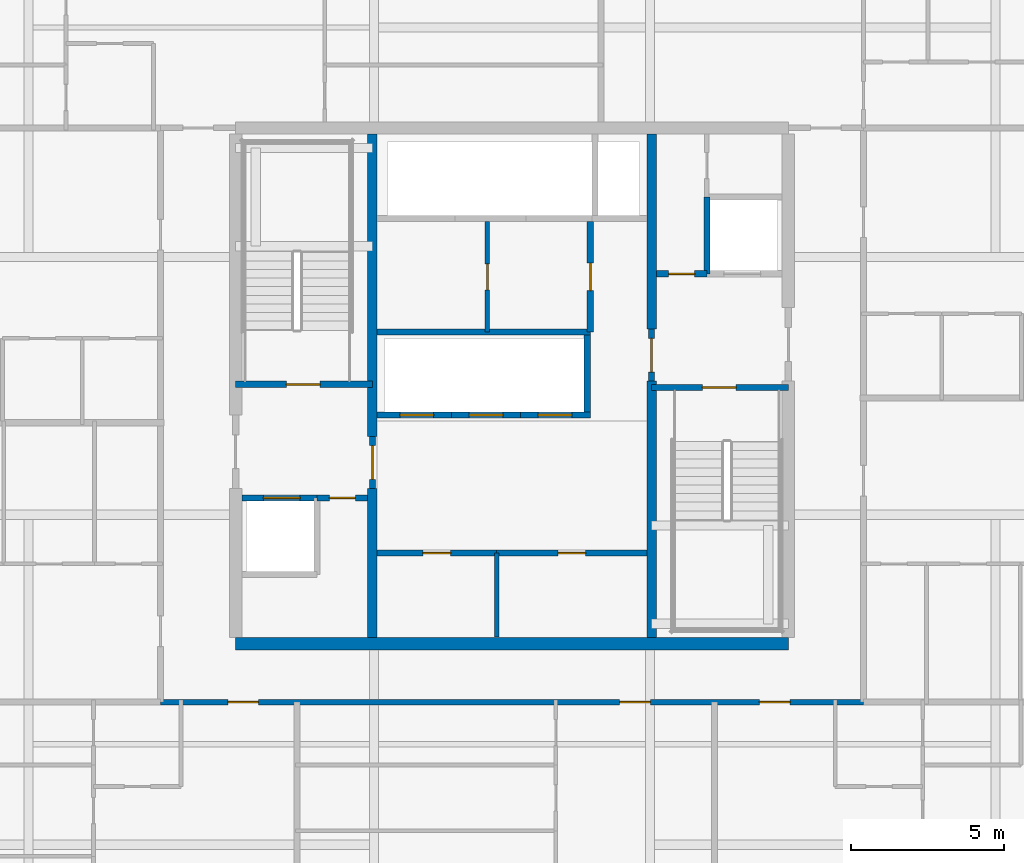
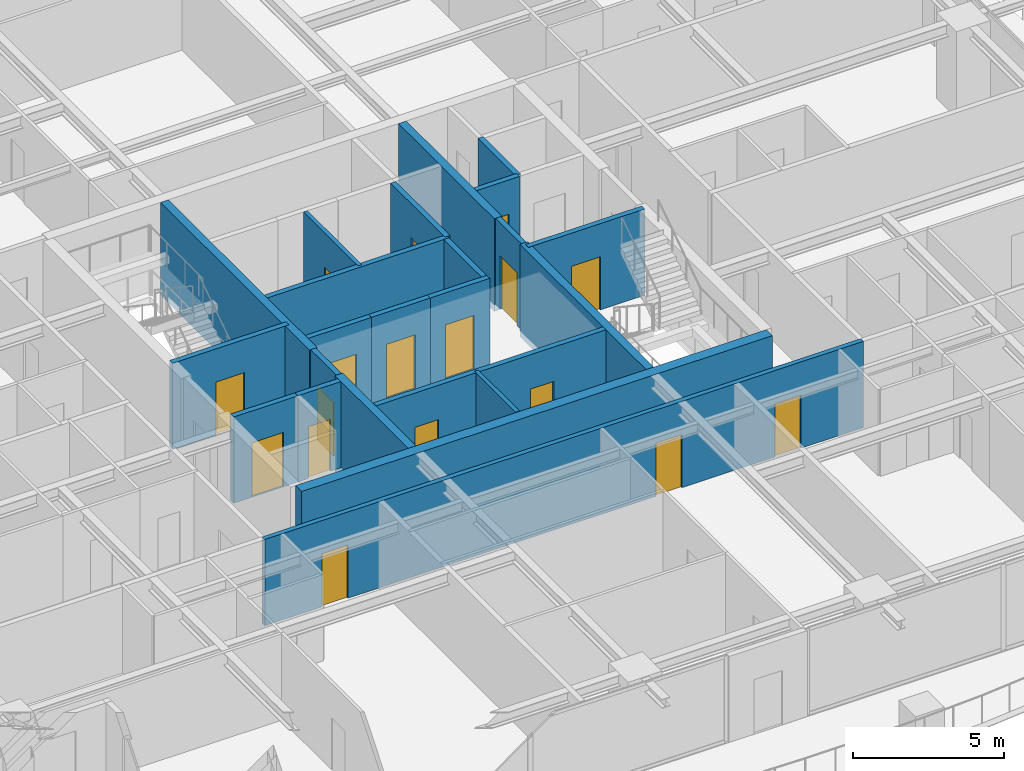
# One storey, part 27 of 36: 24 walls, 17 doors, 17 openings.
"""IFC4 building model written with IfcOpenShell, lengths in metres."""

from ifc_helpers import new_model, si_unit, direction, frame, frame_2d, origin, place, context, subcontext, project, spatial, rectangle, extrude, source, transform, mapped, material, layer, layer_set, type_object, element, fill, save


model = new_model("IFC4")

# Units and contexts
model_context = context("Model", 3, precision=1e-05, world=origin(), true_north=direction((0.0, 1.0)))
body_context = subcontext(model_context, "Body", "Model", "MODEL_VIEW")
ifc_project = project(units=[si_unit("LENGTHUNIT", "METRE"), si_unit("AREAUNIT", "SQUARE_METRE"), si_unit("VOLUMEUNIT", "CUBIC_METRE"), si_unit("PLANEANGLEUNIT", "RADIAN"), si_unit("MASSUNIT", "GRAM", prefix="KILO")], contexts=[model_context])

# Site, building, storey
site_placement = place(None, origin())
site = spatial("IfcSite", under=ifc_project, at=site_placement, CompositionType="ELEMENT")
building_placement = place(site_placement, origin())
building = spatial("IfcBuilding", under=site, at=building_placement, Name="Serunith Strait Residences", CompositionType="ELEMENT")
storey_placement = place(building_placement, frame((0.0, 0.0, 131.39990234375)))
storey = spatial("IfcBuildingStorey", under=building, at=storey_placement, Name="L32", CompositionType="ELEMENT", Elevation=131.39990234375)

# Wall, opening, door
ifc_material_1 = material(Name="Fire-rated masonry service closet wall", Category="masonry")
ifc_layer_1 = layer(ifc_material_1, 0.14990234375, Name="Fire-rated masonry service closet wall")
ifc_layer_set_1 = layer_set([ifc_layer_1], Name="Fire-rated masonry service closet wall")
wall_type_1 = type_object("IfcWallType", Name="IW-BOH-150", PredefinedType="PARTITIONING", material=ifc_layer_set_1)
wall_1_placement = place(storey_placement, frame((31.60009765625, 26.949951171875, 0.0), z_axis=(0.0, 0.0, 1.0), x_axis=(0.0, 1.0, 0.0)))
wall_1 = element("IfcWall", 1, at=wall_1_placement, inside=storey, type_object=wall_type_1, Name="L32 Partition Wall 014", PredefinedType="PARTITIONING", context=body_context, shape_type="SweptSolid", body=[
    extrude(rectangle(XDim=3.60009765625, YDim=0.14990234375, at=frame_2d((1.800048828125, 0.0))), origin(), (0.0, 0.0, 1.0), 3.489990234375),
])
opening_1_placement = place(wall_1_placement, frame((1.375, 0.0, 0.0)))
opening_1 = element("IfcOpeningElement", 2, at=opening_1_placement, cuts=wall_1, Name="Opening FD-850", PredefinedType="OPENING", context=body_context, shape_type="SweptSolid", body=[
    extrude(rectangle(XDim=0.85009765625, YDim=2.10009765625, at=frame_2d((0.425048828125, 1.050048828125))), frame((0.0, 0.0849609375, 0.0), z_axis=(0.0, -1.0, 0.0), x_axis=(1.0, 0.0, 0.0)), (0.0, 0.0, 1.0), 0.169921875),
])
ifc_material_2 = material(Name="Powder-coated steel service closet door", Category="steel")
door_type_1 = type_object("IfcDoorType", Name="FD-BOH-850", OperationType="NOTDEFINED", PredefinedType="DOOR", material=ifc_material_2)
shared_shape_1 = source(origin(), body_context, "Body", "SweptSolid", [
    extrude(rectangle(XDim=0.85009765625, YDim=2.10009765625, at=frame_2d((0.425048828125, 1.050048828125))), frame((0.0, 0.02490234375, 0.0), z_axis=(0.0, -1.0, 0.0), x_axis=(1.0, 0.0, 0.0)), (0.0, 0.0, 1.0), 0.050048828125),
])
door_1_placement = place(opening_1_placement, origin())
door_1 = element("IfcDoor", 3, at=door_1_placement, inside=storey, type_object=door_type_1, Name="L32 Zone Telecoms Door", OperationType="SINGLE_SWING_LEFT", OverallHeight=2.10009765625, OverallWidth=0.85009765625, PredefinedType="DOOR", context=body_context, shape_type="MappedRepresentation", body=[
    mapped(shared_shape_1, transform((0.0, 0.0, 0.0), scale=1.0)),
])
fill(opening_1, door_1)

# Wall
wall_2_placement = place(storey_placement, frame((31.89990234375, 17.02001953125, 0.0), z_axis=(0.0, 0.0, 1.0), x_axis=(0.0, 1.0, 0.0)))
element("IfcWall", 4, at=wall_2_placement, inside=storey, type_object=wall_type_1, Name="L32 Partition Wall 017", PredefinedType="PARTITIONING", context=body_context, shape_type="SweptSolid", body=[
    extrude(rectangle(XDim=2.72998046875, YDim=0.14990234375, at=frame_2d((1.364990234375, 0.0))), origin(), (0.0, 0.0, 1.0), 3.489990234375),
])

# Wall, openings, doors
ifc_material_3 = material(Name="Fire-rated acoustic gypsum partition")
ifc_layer_2 = layer(ifc_material_3, 0.179931640625, Name="Fire-rated acoustic gypsum partition")
ifc_layer_set_2 = layer_set([ifc_layer_2], Name="Fire-rated acoustic gypsum partition")
wall_type_2 = type_object("IfcWallType", Name="IW-CORR-180", PredefinedType="PARTITIONING", material=ifc_layer_set_2)
wall_3_placement = place(storey_placement, frame((20.951904296875, 14.89990234375, 0.0), z_axis=(0.0, 0.0, 1.0), x_axis=(1.0, 0.0, 0.0)))
wall_3 = element("IfcWall", 5, at=wall_3_placement, inside=storey, type_object=wall_type_2, Name="L32 Partition Wall 027", PredefinedType="PARTITIONING", context=body_context, shape_type="SweptSolid", body=[
    extrude(rectangle(XDim=22.89599609375, YDim=0.179931640625, at=frame_2d((11.447998046875, 0.0))), origin(), (0.0, 0.0, 1.0), 3.489990234375),
])
opening_2_placement = place(wall_3_placement, frame((2.18994140625, 0.0, 0.0)))
opening_2 = element("IfcOpeningElement", 6, at=opening_2_placement, cuts=wall_3, Name="Opening D-APT1000", PredefinedType="OPENING", context=body_context, shape_type="SweptSolid", body=[
    extrude(rectangle(XDim=1.0, YDim=2.14990234375, at=frame_2d((0.5, 1.074951171875))), frame((0.0, 0.10009765625, 0.0), z_axis=(0.0, -1.0, 0.0), x_axis=(1.0, 0.0, 0.0)), (0.0, 0.0, 1.0), 0.199951171875),
])
opening_3_placement = place(wall_3_placement, frame((14.955078125, 0.0, 0.0)))
opening_3 = element("IfcOpeningElement", 7, at=opening_3_placement, cuts=wall_3, Name="Opening D-APT1000", PredefinedType="OPENING", context=body_context, shape_type="SweptSolid", body=[
    extrude(rectangle(XDim=1.0, YDim=2.14990234375, at=frame_2d((0.5, 1.074951171875))), frame((0.0, 0.10009765625, 0.0), z_axis=(0.0, -1.0, 0.0), x_axis=(1.0, 0.0, 0.0)), (0.0, 0.0, 1.0), 0.199951171875),
])
opening_4_placement = place(wall_3_placement, frame((19.509033203125, 0.0, 0.0)))
opening_4 = element("IfcOpeningElement", 8, at=opening_4_placement, cuts=wall_3, Name="Opening D-APT1000", PredefinedType="OPENING", context=body_context, shape_type="SweptSolid", body=[
    extrude(rectangle(XDim=1.0, YDim=2.14990234375, at=frame_2d((0.5, 1.074951171875))), frame((0.0, 0.10009765625, 0.0), z_axis=(0.0, -1.0, 0.0), x_axis=(1.0, 0.0, 0.0)), (0.0, 0.0, 1.0), 0.199951171875),
])
ifc_material_4 = material(Name="Solid timber engineered fire door", Category="wood")
door_type_2 = type_object("IfcDoorType", Name="ID-APT-1000", OperationType="NOTDEFINED", PredefinedType="DOOR", material=ifc_material_4)
shared_shape_2 = source(origin(), body_context, "Body", "SweptSolid", [
    extrude(rectangle(XDim=1.0, YDim=2.14990234375, at=frame_2d((0.5, 1.074951171875))), frame((0.0, 0.02490234375, 0.0), z_axis=(0.0, -1.0, 0.0), x_axis=(1.0, 0.0, 0.0)), (0.0, 0.0, 1.0), 0.050048828125),
])
door_2_placement = place(opening_2_placement, origin())
door_2 = element("IfcDoor", 9, at=door_2_placement, inside=storey, type_object=door_type_2, Name="L32 Unit 01 Entrance Door", OperationType="SINGLE_SWING_RIGHT", OverallHeight=2.14990234375, OverallWidth=1.0, PredefinedType="DOOR", context=body_context, shape_type="MappedRepresentation", body=[
    mapped(shared_shape_2, transform((0.0, 0.0, 0.0), scale=1.0)),
])
fill(opening_2, door_2)
door_3_placement = place(opening_3_placement, origin())
door_3 = element("IfcDoor", 10, at=door_3_placement, inside=storey, type_object=door_type_2, Name="L32 Unit 02 Entrance Door", OperationType="SINGLE_SWING_LEFT", OverallHeight=2.14990234375, OverallWidth=1.0, PredefinedType="DOOR", context=body_context, shape_type="MappedRepresentation", body=[
    mapped(shared_shape_2, transform((0.0, 0.0, 0.0), scale=1.0)),
])
fill(opening_3, door_3)
door_4_placement = place(opening_4_placement, origin())
door_4 = element("IfcDoor", 11, at=door_4_placement, inside=storey, type_object=door_type_2, Name="L32 Unit 03 Entrance Door", OperationType="SINGLE_SWING_RIGHT", OverallHeight=2.14990234375, OverallWidth=1.0, PredefinedType="DOOR", context=body_context, shape_type="MappedRepresentation", body=[
    mapped(shared_shape_2, transform((0.0, 0.0, 0.0), scale=1.0)),
])
fill(opening_4, door_4)

# Wall, opening, door
ifc_material_5 = material(Name="Autoclaved aerated concrete blockwork", Category="masonry")
ifc_layer_3 = layer(ifc_material_5, 0.199951171875, Name="Autoclaved aerated concrete blockwork")
ifc_layer_set_3 = layer_set([ifc_layer_3], Name="Autoclaved aerated concrete blockwork")
wall_type_3 = type_object("IfcWallType", Name="IW-SHAFT-200", PredefinedType="STANDARD", material=ifc_layer_set_3)
wall_4_placement = place(storey_placement, frame((23.39990234375, 25.25, 0.0), z_axis=(0.0, 0.0, 1.0), x_axis=(1.0, 0.0, 0.0)))
wall_4 = element("IfcWall", 12, at=wall_4_placement, inside=storey, type_object=wall_type_3, Name="L32 ST-1 South Shaft Wall", PredefinedType="STANDARD", context=body_context, shape_type="SweptSolid", body=[
    extrude(rectangle(XDim=4.4501953125, YDim=0.199951171875, at=frame_2d((2.22509765625, 0.0))), origin(), (0.0, 0.0, 1.0), 3.489990234375),
])
opening_5_placement = place(wall_4_placement, frame((1.64990234375, 0.0, 0.0)))
opening_5 = element("IfcOpeningElement", 13, at=opening_5_placement, cuts=wall_4, Name="Opening FD-1100", PredefinedType="OPENING", context=body_context, shape_type="SweptSolid", body=[
    extrude(rectangle(XDim=1.10009765625, YDim=2.14990234375, at=frame_2d((0.550048828125, 1.074951171875))), frame((0.0, 0.10986328125, 0.0), z_axis=(0.0, -1.0, 0.0), x_axis=(1.0, 0.0, 0.0)), (0.0, 0.0, 1.0), 0.219970703125),
])
ifc_material_6 = material(Name="Galvanised steel fire door leaf", Category="steel")
door_type_3 = type_object("IfcDoorType", Name="FD-STAIR-1100", OperationType="NOTDEFINED", PredefinedType="DOOR", material=ifc_material_6)
shared_shape_3 = source(origin(), body_context, "Body", "SweptSolid", [
    extrude(rectangle(XDim=1.10009765625, YDim=2.14990234375, at=frame_2d((0.550048828125, 1.074951171875))), frame((0.0, 0.02490234375, 0.0), z_axis=(0.0, -1.0, 0.0), x_axis=(1.0, 0.0, 0.0)), (0.0, 0.0, 1.0), 0.050048828125),
])
door_5_placement = place(opening_5_placement, origin())
door_5 = element("IfcDoor", 14, at=door_5_placement, inside=storey, type_object=door_type_3, Name="L32 ST-1 Escape Stair Door", OperationType="SINGLE_SWING_RIGHT", OverallHeight=2.14990234375, OverallWidth=1.10009765625, PredefinedType="DOOR", context=body_context, shape_type="MappedRepresentation", body=[
    mapped(shared_shape_3, transform((0.0, 0.0, 0.0), scale=1.0)),
])
fill(opening_5, door_5)

wall_5_placement = place(storey_placement, frame((36.949951171875, 25.14990234375, 0.0), z_axis=(0.0, 0.0, 1.0), x_axis=(1.0, 0.0, 0.0)))
wall_5 = element("IfcWall", 15, at=wall_5_placement, inside=storey, type_object=wall_type_3, Name="L32 ST-2 North Shaft Wall", PredefinedType="STANDARD", context=body_context, shape_type="SweptSolid", body=[
    extrude(rectangle(XDim=4.449951171875, YDim=0.199951171875, at=frame_2d((2.22509765625, 0.0))), origin(), (0.0, 0.0, 1.0), 3.489990234375),
])
opening_6_placement = place(wall_5_placement, frame((1.64990234375, 0.0, 0.0)))
opening_6 = element("IfcOpeningElement", 16, at=opening_6_placement, cuts=wall_5, Name="Opening FD-1100", PredefinedType="OPENING", context=body_context, shape_type="SweptSolid", body=[
    extrude(rectangle(XDim=1.10009765625, YDim=2.14990234375, at=frame_2d((0.550048828125, 1.074951171875))), frame((0.0, 0.10986328125, 0.0), z_axis=(0.0, -1.0, 0.0), x_axis=(1.0, 0.0, 0.0)), (0.0, 0.0, 1.0), 0.219970703125),
])
door_6_placement = place(opening_6_placement, origin())
door_6 = element("IfcDoor", 17, at=door_6_placement, inside=storey, type_object=door_type_3, Name="L32 ST-2 Escape Stair Door", OperationType="SINGLE_SWING_LEFT", OverallHeight=2.14990234375, OverallWidth=1.10009765625, PredefinedType="DOOR", context=body_context, shape_type="MappedRepresentation", body=[
    mapped(shared_shape_3, transform((0.0, 0.0, 0.0), scale=1.0)),
])
fill(opening_6, door_6)

wall_6_placement = place(storey_placement, frame((23.60009765625, 21.550048828125, 0.0), z_axis=(0.0, 0.0, 1.0), x_axis=(1.0, 0.0, 0.0)))
wall_6 = element("IfcWall", 18, at=wall_6_placement, inside=storey, type_object=wall_type_3, Name="L32 FL-1 North Shaft Wall", PredefinedType="STANDARD", context=body_context, shape_type="SweptSolid", body=[
    extrude(rectangle(XDim=2.449951171875, YDim=0.199951171875, at=frame_2d((1.22509765625, 0.0))), origin(), (0.0, 0.0, 1.0), 3.489990234375),
])
opening_7_placement = place(wall_6_placement, frame((0.699951171875, 0.0, 0.0)))
opening_7 = element("IfcOpeningElement", 19, at=opening_7_placement, cuts=wall_6, Name="Opening LD-FF1200", PredefinedType="OPENING", context=body_context, shape_type="SweptSolid", body=[
    extrude(rectangle(XDim=1.199951171875, YDim=2.199951171875, at=frame_2d((0.60009765625, 1.10009765625))), frame((0.0, 0.10986328125, 0.0), z_axis=(0.0, -1.0, 0.0), x_axis=(1.0, 0.0, 0.0)), (0.0, 0.0, 1.0), 0.219970703125),
])
ifc_material_7 = material(Name="Brushed stainless steel landing door", Category="steel")
door_type_4 = type_object("IfcDoorType", Name="LD-FF-1200", OperationType="DOUBLE_DOOR_SLIDING", PredefinedType="DOOR", material=ifc_material_7)
shared_shape_4 = source(origin(), body_context, "Body", "SweptSolid", [
    extrude(rectangle(XDim=1.199951171875, YDim=2.199951171875, at=frame_2d((0.60009765625, 1.10009765625))), frame((0.0, 0.02490234375, 0.0), z_axis=(0.0, -1.0, 0.0), x_axis=(1.0, 0.0, 0.0)), (0.0, 0.0, 1.0), 0.050048828125),
])
door_7_placement = place(opening_7_placement, origin())
door_7 = element("IfcDoor", 20, at=door_7_placement, inside=storey, type_object=door_type_4, Name="L32 FL-1 Landing Door", OperationType="DOUBLE_DOOR_SLIDING", OverallHeight=2.199951171875, OverallWidth=1.199951171875, PredefinedType="DOOR", context=body_context, shape_type="MappedRepresentation", body=[
    mapped(shared_shape_4, transform((0.0, 0.0, 0.0), scale=1.0)),
])
fill(opening_7, door_7)

wall_7_placement = place(storey_placement, frame((28.0, 24.25, 0.0), z_axis=(0.0, 0.0, 1.0), x_axis=(1.0, 0.0, 0.0)))
wall_7 = element("IfcWall", 21, at=wall_7_placement, inside=storey, type_object=wall_type_3, Name="L32 PL-4 South Shaft Wall", PredefinedType="STANDARD", context=body_context, shape_type="SweptSolid", body=[
    extrude(rectangle(XDim=2.425048828125, YDim=0.199951171875, at=frame_2d((1.21240234375, 0.0))), origin(), (0.0, 0.0, 1.0), 3.489990234375),
])
opening_8_placement = place(wall_7_placement, frame((0.75, 0.0, 0.0)))
opening_8 = element("IfcOpeningElement", 22, at=opening_8_placement, cuts=wall_7, Name="Opening LD-1100", PredefinedType="OPENING", context=body_context, shape_type="SweptSolid", body=[
    extrude(rectangle(XDim=1.10009765625, YDim=2.199951171875, at=frame_2d((0.550048828125, 1.10009765625))), frame((0.0, 0.10986328125, 0.0), z_axis=(0.0, -1.0, 0.0), x_axis=(1.0, 0.0, 0.0)), (0.0, 0.0, 1.0), 0.219970703125),
])
ifc_material_8 = material(Name="Pale-champagne stainless landing door")
door_type_5 = type_object("IfcDoorType", Name="LD-LIFT-1100", OperationType="DOUBLE_DOOR_SLIDING", PredefinedType="DOOR", material=ifc_material_8)
shared_shape_5 = source(origin(), body_context, "Body", "SweptSolid", [
    extrude(rectangle(XDim=1.10009765625, YDim=2.199951171875, at=frame_2d((0.550048828125, 1.10009765625))), frame((0.0, 0.02490234375, 0.0), z_axis=(0.0, -1.0, 0.0), x_axis=(1.0, 0.0, 0.0)), (0.0, 0.0, 1.0), 0.050048828125),
])
door_8_placement = place(opening_8_placement, origin())
door_8 = element("IfcDoor", 23, at=door_8_placement, inside=storey, type_object=door_type_5, Name="L32 PL-4 Landing Door", OperationType="DOUBLE_DOOR_SLIDING", OverallHeight=2.199951171875, OverallWidth=1.10009765625, PredefinedType="DOOR", context=body_context, shape_type="MappedRepresentation", body=[
    mapped(shared_shape_5, transform((0.0, 0.0, 0.0), scale=1.0)),
])
fill(opening_8, door_8)

wall_8_placement = place(storey_placement, frame((30.425048828125, 24.25, 0.0), z_axis=(0.0, 0.0, 1.0), x_axis=(1.0, 0.0, 0.0)))
wall_8 = element("IfcWall", 24, at=wall_8_placement, inside=storey, type_object=wall_type_3, Name="L32 PL-5 South Shaft Wall", PredefinedType="STANDARD", context=body_context, shape_type="SweptSolid", body=[
    extrude(rectangle(XDim=2.25, YDim=0.199951171875, at=frame_2d((1.125, 0.0))), origin(), (0.0, 0.0, 1.0), 3.489990234375),
])
opening_9_placement = place(wall_8_placement, frame((0.574951171875, 0.0, 0.0)))
opening_9 = element("IfcOpeningElement", 25, at=opening_9_placement, cuts=wall_8, Name="Opening LD-1100", PredefinedType="OPENING", context=body_context, shape_type="SweptSolid", body=[
    extrude(rectangle(XDim=1.10009765625, YDim=2.199951171875, at=frame_2d((0.550048828125, 1.10009765625))), frame((0.0, 0.10986328125, 0.0), z_axis=(0.0, -1.0, 0.0), x_axis=(1.0, 0.0, 0.0)), (0.0, 0.0, 1.0), 0.219970703125),
])
door_9_placement = place(opening_9_placement, origin())
door_9 = element("IfcDoor", 26, at=door_9_placement, inside=storey, type_object=door_type_5, Name="L32 PL-5 Landing Door", OperationType="DOUBLE_DOOR_SLIDING", OverallHeight=2.199951171875, OverallWidth=1.10009765625, PredefinedType="DOOR", context=body_context, shape_type="MappedRepresentation", body=[
    mapped(shared_shape_5, transform((0.0, 0.0, 0.0), scale=1.0)),
])
fill(opening_9, door_9)

wall_9_placement = place(storey_placement, frame((32.675048828125, 24.25, 0.0), z_axis=(0.0, 0.0, 1.0), x_axis=(1.0, 0.0, 0.0)))
wall_9 = element("IfcWall", 27, at=wall_9_placement, inside=storey, type_object=wall_type_3, Name="L32 PL-6 South Shaft Wall", PredefinedType="STANDARD", context=body_context, shape_type="SweptSolid", body=[
    extrude(rectangle(XDim=2.27490234375, YDim=0.199951171875, at=frame_2d((1.137451171875, 0.0))), origin(), (0.0, 0.0, 1.0), 3.489990234375),
])
opening_10_placement = place(wall_9_placement, frame((0.574951171875, 0.0, 0.0)))
opening_10 = element("IfcOpeningElement", 28, at=opening_10_placement, cuts=wall_9, Name="Opening LD-1100", PredefinedType="OPENING", context=body_context, shape_type="SweptSolid", body=[
    extrude(rectangle(XDim=1.10009765625, YDim=2.199951171875, at=frame_2d((0.550048828125, 1.10009765625))), frame((0.0, 0.10986328125, 0.0), z_axis=(0.0, -1.0, 0.0), x_axis=(1.0, 0.0, 0.0)), (0.0, 0.0, 1.0), 0.219970703125),
])
door_10_placement = place(opening_10_placement, origin())
door_10 = element("IfcDoor", 29, at=door_10_placement, inside=storey, type_object=door_type_5, Name="L32 PL-6 Landing Door", OperationType="DOUBLE_DOOR_SLIDING", OverallHeight=2.199951171875, OverallWidth=1.10009765625, PredefinedType="DOOR", context=body_context, shape_type="MappedRepresentation", body=[
    mapped(shared_shape_5, transform((0.0, 0.0, 0.0), scale=1.0)),
])
fill(opening_10, door_10)

# Wall
wall_10_placement = place(storey_placement, frame((34.85009765625, 24.35009765625, 0.0), z_axis=(0.0, 0.0, 1.0), x_axis=(0.0, 1.0, 0.0)))
element("IfcWall", 30, at=wall_10_placement, inside=storey, type_object=wall_type_3, Name="L32 PL-6 East Shaft Wall", PredefinedType="STANDARD", context=body_context, shape_type="SweptSolid", body=[
    extrude(rectangle(XDim=2.5, YDim=0.199951171875, at=frame_2d((1.25, 0.0))), origin(), (0.0, 0.0, 1.0), 3.489990234375),
])

# Wall, opening, door
wall_11_placement = place(storey_placement, frame((26.052001953125, 21.550048828125, 0.0), z_axis=(0.0, 0.0, 1.0), x_axis=(1.0, 0.0, 0.0)))
wall_11 = element("IfcWall", 31, at=wall_11_placement, inside=storey, type_object=wall_type_3, Name="L32 Partition Wall 003", PredefinedType="STANDARD", context=body_context, shape_type="SweptSolid", body=[
    extrude(rectangle(XDim=1.64794921875, YDim=0.199951171875, at=frame_2d((0.823974609375, 0.0))), origin(), (0.0, 0.0, 1.0), 3.489990234375),
])
opening_11_placement = place(wall_11_placement, frame((0.39892578125, 0.0, 0.0)))
opening_11 = element("IfcOpeningElement", 32, at=opening_11_placement, cuts=wall_11, Name="Opening FD-850", PredefinedType="OPENING", context=body_context, shape_type="SweptSolid", body=[
    extrude(rectangle(XDim=0.85009765625, YDim=2.10009765625, at=frame_2d((0.425048828125, 1.050048828125))), frame((0.0, 0.10986328125, 0.0), z_axis=(0.0, -1.0, 0.0), x_axis=(1.0, 0.0, 0.0)), (0.0, 0.0, 1.0), 0.219970703125),
])
door_11_placement = place(opening_11_placement, origin())
door_11 = element("IfcDoor", 33, at=door_11_placement, inside=storey, type_object=door_type_1, Name="L32 South-West Core Service Door", OperationType="SINGLE_SWING_LEFT", OverallHeight=2.10009765625, OverallWidth=0.85009765625, PredefinedType="DOOR", context=body_context, shape_type="MappedRepresentation", body=[
    mapped(shared_shape_1, transform((0.0, 0.0, 0.0), scale=1.0)),
])
fill(opening_11, door_11)

# Wall
wall_12_placement = place(storey_placement, frame((38.75, 28.85009765625, 0.0), z_axis=(0.0, 0.0, 1.0), x_axis=(0.0, 1.0, 0.0)))
element("IfcWall", 34, at=wall_12_placement, inside=storey, type_object=wall_type_3, Name="L32 Partition Wall 004", PredefinedType="STANDARD", context=body_context, shape_type="SweptSolid", body=[
    extrude(rectangle(XDim=2.5, YDim=0.199951171875, at=frame_2d((1.25, 0.0))), origin(), (0.0, 0.0, 1.0), 3.489990234375),
])

# Wall, opening, door
wall_13_placement = place(storey_placement, frame((37.10009765625, 28.85009765625, 0.0), z_axis=(0.0, 0.0, 1.0), x_axis=(1.0, 0.0, 0.0)))
wall_13 = element("IfcWall", 35, at=wall_13_placement, inside=storey, type_object=wall_type_3, Name="L32 Partition Wall 006", PredefinedType="STANDARD", context=body_context, shape_type="SweptSolid", body=[
    extrude(rectangle(XDim=1.64794921875, YDim=0.199951171875, at=frame_2d((0.823974609375, 0.0))), origin(), (0.0, 0.0, 1.0), 3.489990234375),
])
opening_12_placement = place(wall_13_placement, frame((0.39892578125, 0.0, 0.0)))
opening_12 = element("IfcOpeningElement", 36, at=opening_12_placement, cuts=wall_13, Name="Opening FD-850", PredefinedType="OPENING", context=body_context, shape_type="SweptSolid", body=[
    extrude(rectangle(XDim=0.85009765625, YDim=2.10009765625, at=frame_2d((0.425048828125, 1.050048828125))), frame((0.0, 0.10986328125, 0.0), z_axis=(0.0, -1.0, 0.0), x_axis=(1.0, 0.0, 0.0)), (0.0, 0.0, 1.0), 0.219970703125),
])
door_12_placement = place(opening_12_placement, origin())
door_12 = element("IfcDoor", 37, at=door_12_placement, inside=storey, type_object=door_type_1, Name="L32 North-East Core Service Door", OperationType="SINGLE_SWING_RIGHT", OverallHeight=2.10009765625, OverallWidth=0.85009765625, PredefinedType="DOOR", context=body_context, shape_type="MappedRepresentation", body=[
    mapped(shared_shape_1, transform((0.0, 0.0, 0.0), scale=1.0)),
])
fill(opening_12, door_12)

wall_14_placement = place(storey_placement, frame((27.85009765625, 21.85205078125, 0.0), z_axis=(0.0, 0.0, 1.0), x_axis=(0.0, 1.0, 0.0)))
wall_14 = element("IfcWall", 38, at=wall_14_placement, inside=storey, type_object=wall_type_3, Name="L32 Partition Wall 009", PredefinedType="STANDARD", context=body_context, shape_type="SweptSolid", body=[
    extrude(rectangle(XDim=1.696044921875, YDim=0.199951171875, at=frame_2d((0.84814453125, 0.0))), origin(), (0.0, 0.0, 1.0), 3.489990234375),
])
opening_13_placement = place(wall_14_placement, frame((0.298095703125, 0.0, 0.0)))
opening_13 = element("IfcOpeningElement", 39, at=opening_13_placement, cuts=wall_14, Name="Opening FD-FFL", PredefinedType="OPENING", context=body_context, shape_type="SweptSolid", body=[
    extrude(rectangle(XDim=1.10009765625, YDim=2.14990234375, at=frame_2d((0.550048828125, 1.074951171875))), frame((0.0, 0.10986328125, 0.0), z_axis=(0.0, -1.0, 0.0), x_axis=(1.0, 0.0, 0.0)), (0.0, 0.0, 1.0), 0.219970703125),
])
ifc_material_9 = material(Name="Glazed steel smoke-lobby fire door", Category="steel")
door_type_6 = type_object("IfcDoorType", Name="FD-FFL-1100", OperationType="NOTDEFINED", PredefinedType="DOOR", material=ifc_material_9)
door_13_placement = place(opening_13_placement, origin())
door_13 = element("IfcDoor", 40, at=door_13_placement, inside=storey, type_object=door_type_6, Name="L32 FFL-1 Lift Lobby Door", OperationType="SINGLE_SWING_LEFT", OverallHeight=2.14990234375, OverallWidth=1.10009765625, PredefinedType="DOOR", context=body_context, shape_type="MappedRepresentation", body=[
    mapped(shared_shape_3, transform((0.0, 0.0, 0.0), scale=1.0)),
])
fill(opening_13, door_13)

wall_15_placement = place(storey_placement, frame((36.949951171875, 25.35205078125, 0.0), z_axis=(0.0, 0.0, 1.0), x_axis=(0.0, 1.0, 0.0)))
wall_15 = element("IfcWall", 41, at=wall_15_placement, inside=storey, type_object=wall_type_3, Name="L32 Partition Wall 010", PredefinedType="STANDARD", context=body_context, shape_type="SweptSolid", body=[
    extrude(rectangle(XDim=1.696044921875, YDim=0.199951171875, at=frame_2d((0.84814453125, 0.0))), origin(), (0.0, 0.0, 1.0), 3.489990234375),
])
opening_14_placement = place(wall_15_placement, frame((0.298095703125, 0.0, 0.0)))
opening_14 = element("IfcOpeningElement", 42, at=opening_14_placement, cuts=wall_15, Name="Opening FD-FFL", PredefinedType="OPENING", context=body_context, shape_type="SweptSolid", body=[
    extrude(rectangle(XDim=1.10009765625, YDim=2.14990234375, at=frame_2d((0.550048828125, 1.074951171875))), frame((0.0, 0.10986328125, 0.0), z_axis=(0.0, -1.0, 0.0), x_axis=(1.0, 0.0, 0.0)), (0.0, 0.0, 1.0), 0.219970703125),
])
door_14_placement = place(opening_14_placement, origin())
door_14 = element("IfcDoor", 43, at=door_14_placement, inside=storey, type_object=door_type_6, Name="L32 FFL-2 Lift Lobby Door", OperationType="SINGLE_SWING_RIGHT", OverallHeight=2.14990234375, OverallWidth=1.10009765625, PredefinedType="DOOR", context=body_context, shape_type="MappedRepresentation", body=[
    mapped(shared_shape_3, transform((0.0, 0.0, 0.0), scale=1.0)),
])
fill(opening_14, door_14)

# Wall
wall_16_placement = place(storey_placement, frame((28.0, 26.949951171875, 0.0), z_axis=(0.0, 0.0, 1.0), x_axis=(1.0, 0.0, 0.0)))
element("IfcWall", 44, at=wall_16_placement, inside=storey, type_object=wall_type_3, Name="L32 Partition Wall 011", PredefinedType="STANDARD", context=body_context, shape_type="SweptSolid", body=[
    extrude(rectangle(XDim=6.949951171875, YDim=0.199951171875, at=frame_2d((3.47509765625, 0.0))), origin(), (0.0, 0.0, 1.0), 3.489990234375),
])

# Wall, opening, door
wall_17_placement = place(storey_placement, frame((34.949951171875, 26.949951171875, 0.0), z_axis=(0.0, 0.0, 1.0), x_axis=(0.0, 1.0, 0.0)))
wall_17 = element("IfcWall", 45, at=wall_17_placement, inside=storey, type_object=wall_type_3, Name="L32 Partition Wall 013", PredefinedType="STANDARD", context=body_context, shape_type="SweptSolid", body=[
    extrude(rectangle(XDim=3.60009765625, YDim=0.199951171875, at=frame_2d((1.800048828125, 0.0))), origin(), (0.0, 0.0, 1.0), 3.489990234375),
])
opening_15_placement = place(wall_17_placement, frame((1.35009765625, 0.0, 0.0)))
opening_15 = element("IfcOpeningElement", 46, at=opening_15_placement, cuts=wall_17, Name="Opening FD-900", PredefinedType="OPENING", context=body_context, shape_type="SweptSolid", body=[
    extrude(rectangle(XDim=0.89990234375, YDim=2.10009765625, at=frame_2d((0.449951171875, 1.050048828125))), frame((0.0, 0.10986328125, 0.0), z_axis=(0.0, -1.0, 0.0), x_axis=(1.0, 0.0, 0.0)), (0.0, 0.0, 1.0), 0.219970703125),
])
ifc_material_10 = material(Name="Powder-coated steel riser door", Category="steel")
door_type_7 = type_object("IfcDoorType", Name="FD-BOH-900", OperationType="NOTDEFINED", PredefinedType="DOOR", material=ifc_material_10)
shared_shape_6 = source(origin(), body_context, "Body", "SweptSolid", [
    extrude(rectangle(XDim=0.89990234375, YDim=2.10009765625, at=frame_2d((0.449951171875, 1.050048828125))), frame((0.0, 0.02490234375, 0.0), z_axis=(0.0, -1.0, 0.0), x_axis=(1.0, 0.0, 0.0)), (0.0, 0.0, 1.0), 0.050048828125),
])
door_15_placement = place(opening_15_placement, origin())
door_15 = element("IfcDoor", 47, at=door_15_placement, inside=storey, type_object=door_type_7, Name="L32 Central Comms Door", OperationType="SINGLE_SWING_RIGHT", OverallHeight=2.10009765625, OverallWidth=0.89990234375, PredefinedType="DOOR", context=body_context, shape_type="MappedRepresentation", body=[
    mapped(shared_shape_6, transform((0.0, 0.0, 0.0), scale=1.0)),
])
fill(opening_15, door_15)

wall_18_placement = place(storey_placement, frame((28.0, 19.75, 0.0), z_axis=(0.0, 0.0, 1.0), x_axis=(1.0, 0.0, 0.0)))
wall_18 = element("IfcWall", 48, at=wall_18_placement, inside=storey, type_object=wall_type_3, Name="L32 Partition Wall 015", PredefinedType="STANDARD", context=body_context, shape_type="SweptSolid", body=[
    extrude(rectangle(XDim=3.89990234375, YDim=0.199951171875, at=frame_2d((1.949951171875, 0.0))), origin(), (0.0, 0.0, 1.0), 3.489990234375),
])
opening_16_placement = place(wall_18_placement, frame((1.5, 0.0, 0.0)))
opening_16 = element("IfcOpeningElement", 49, at=opening_16_placement, cuts=wall_18, Name="Opening FD-900", PredefinedType="OPENING", context=body_context, shape_type="SweptSolid", body=[
    extrude(rectangle(XDim=0.89990234375, YDim=2.10009765625, at=frame_2d((0.449951171875, 1.050048828125))), frame((0.0, 0.10986328125, 0.0), z_axis=(0.0, -1.0, 0.0), x_axis=(1.0, 0.0, 0.0)), (0.0, 0.0, 1.0), 0.219970703125),
])
door_16_placement = place(opening_16_placement, origin())
door_16 = element("IfcDoor", 50, at=door_16_placement, inside=storey, type_object=door_type_7, Name="L32 Housekeeping Store Door", OperationType="SINGLE_SWING_RIGHT", OverallHeight=2.10009765625, OverallWidth=0.89990234375, PredefinedType="DOOR", context=body_context, shape_type="MappedRepresentation", body=[
    mapped(shared_shape_6, transform((0.0, 0.0, 0.0), scale=1.0)),
])
fill(opening_16, door_16)

wall_19_placement = place(storey_placement, frame((31.902099609375, 19.75, 0.0), z_axis=(0.0, 0.0, 1.0), x_axis=(1.0, 0.0, 0.0)))
wall_19 = element("IfcWall", 51, at=wall_19_placement, inside=storey, type_object=wall_type_3, Name="L32 Partition Wall 016", PredefinedType="STANDARD", context=body_context, shape_type="SweptSolid", body=[
    extrude(rectangle(XDim=4.89794921875, YDim=0.199951171875, at=frame_2d((2.448974609375, 0.0))), origin(), (0.0, 0.0, 1.0), 3.489990234375),
])
opening_17_placement = place(wall_19_placement, frame((1.9990234375, 0.0, 0.0)))
opening_17 = element("IfcOpeningElement", 52, at=opening_17_placement, cuts=wall_19, Name="Opening FD-900", PredefinedType="OPENING", context=body_context, shape_type="SweptSolid", body=[
    extrude(rectangle(XDim=0.89990234375, YDim=2.10009765625, at=frame_2d((0.449951171875, 1.050048828125))), frame((0.0, 0.10986328125, 0.0), z_axis=(0.0, -1.0, 0.0), x_axis=(1.0, 0.0, 0.0)), (0.0, 0.0, 1.0), 0.219970703125),
])
door_17_placement = place(opening_17_placement, origin())
door_17 = element("IfcDoor", 53, at=door_17_placement, inside=storey, type_object=door_type_7, Name="L32 High-Rise Meter Door", OperationType="SINGLE_SWING_LEFT", OverallHeight=2.10009765625, OverallWidth=0.89990234375, PredefinedType="DOOR", context=body_context, shape_type="MappedRepresentation", body=[
    mapped(shared_shape_6, transform((0.0, 0.0, 0.0), scale=1.0)),
])
fill(opening_17, door_17)

# Walls
ifc_material_11 = material(Name="Concrete C70/85", Category="concrete")
ifc_layer_4 = layer(ifc_material_11, 0.300048828125, Name="Concrete C70/85")
ifc_layer_set_4 = layer_set([ifc_layer_4], Name="Concrete C70/85")
wall_type_4 = type_object("IfcWallType", Name="SW-300-C70", PredefinedType="SHEAR", material=ifc_layer_set_4)
wall_20_placement = place(storey_placement, frame((27.85009765625, 17.0, -0.260009765625), z_axis=(0.0, 0.0, 1.0), x_axis=(0.0, 1.0, 0.0)))
element("IfcWall", 54, at=wall_20_placement, inside=storey, type_object=wall_type_4, Name="L32 Core Internal West Web South Pier", PredefinedType="SHEAR", context=body_context, shape_type="SweptSolid", body=[
    extrude(rectangle(XDim=4.85009765625, YDim=0.300048828125, at=frame_2d((2.425048828125, 0.0))), origin(), (0.0, 0.0, 1.0), 3.748046875),
])
wall_21_placement = place(storey_placement, frame((27.85009765625, 23.550048828125, -0.260009765625), z_axis=(0.0, 0.0, 1.0), x_axis=(0.0, 1.0, 0.0)))
element("IfcWall", 55, at=wall_21_placement, inside=storey, type_object=wall_type_4, Name="L32 Core Internal West Web North Pier", PredefinedType="SHEAR", context=body_context, shape_type="SweptSolid", body=[
    extrude(rectangle(XDim=9.849853515625, YDim=0.300048828125, at=frame_2d((4.9248046875, 0.0))), origin(), (0.0, 0.0, 1.0), 3.748046875),
])
wall_22_placement = place(storey_placement, frame((36.949951171875, 17.0, -0.260009765625), z_axis=(0.0, 0.0, 1.0), x_axis=(0.0, 1.0, 0.0)))
element("IfcWall", 56, at=wall_22_placement, inside=storey, type_object=wall_type_4, Name="L32 Core Internal East Web South Pier", PredefinedType="SHEAR", context=body_context, shape_type="SweptSolid", body=[
    extrude(rectangle(XDim=8.35009765625, YDim=0.300048828125, at=frame_2d((4.175048828125, 0.0))), origin(), (0.0, 0.0, 1.0), 3.748046875),
])
wall_23_placement = place(storey_placement, frame((36.949951171875, 27.050048828125, -0.260009765625), z_axis=(0.0, 0.0, 1.0), x_axis=(0.0, 1.0, 0.0)))
element("IfcWall", 57, at=wall_23_placement, inside=storey, type_object=wall_type_4, Name="L32 Core Internal East Web North Pier", PredefinedType="SHEAR", context=body_context, shape_type="SweptSolid", body=[
    extrude(rectangle(XDim=6.349853515625, YDim=0.300048828125, at=frame_2d((3.1748046875, 0.0))), origin(), (0.0, 0.0, 1.0), 3.748046875),
])
ifc_layer_5 = layer(ifc_material_11, 0.39990234375, Name="Concrete C70/85")
ifc_layer_set_5 = layer_set([ifc_layer_5], Name="Concrete C70/85")
wall_type_5 = type_object("IfcWallType", Name="SW-400-C70", PredefinedType="SHEAR", material=ifc_layer_set_5)
wall_24_placement = place(storey_placement, frame((23.39990234375, 16.800048828125, -0.260009765625), z_axis=(0.0, 0.0, 1.0), x_axis=(1.0, 0.0, 0.0)))
element("IfcWall", 58, at=wall_24_placement, inside=storey, type_object=wall_type_5, Name="L32 Core South Shear Wall", PredefinedType="SHEAR", context=body_context, shape_type="SweptSolid", body=[
    extrude(rectangle(XDim=18.0, YDim=0.39990234375, at=frame_2d((9.0, 0.0))), origin(), (0.0, 0.0, 1.0), 3.748046875),
])

save(model, "model.ifc")
